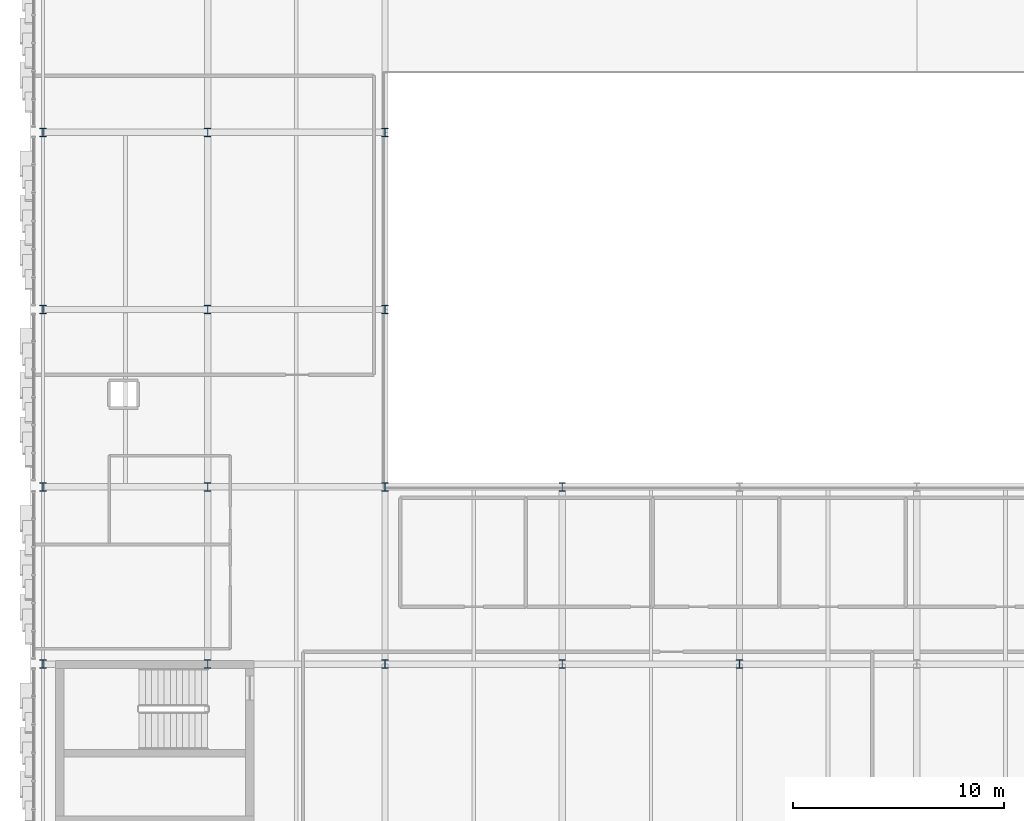
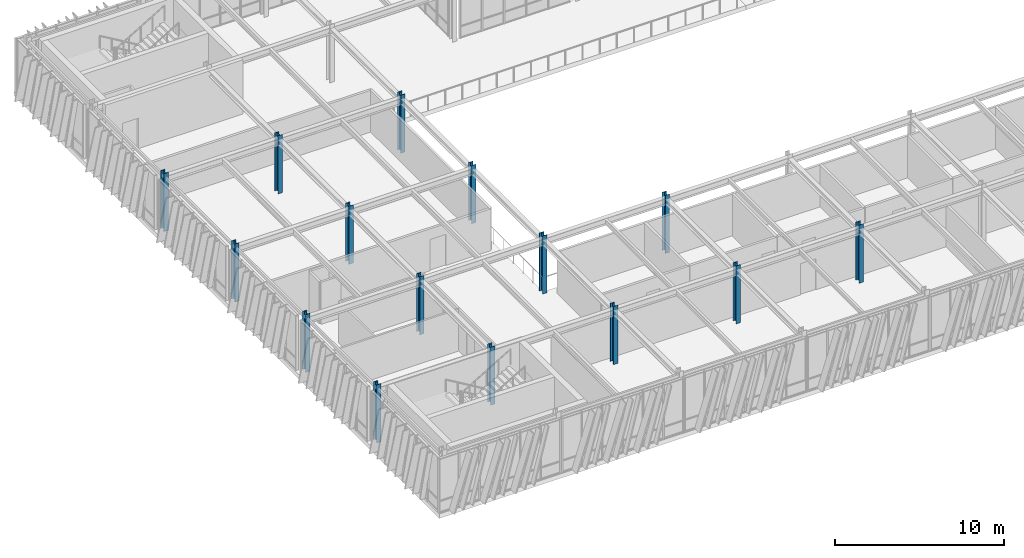
# One storey, part 7 of 127: 15 columns.
"""IFC4 building model written with IfcOpenShell, lengths in metres."""

from ifc_helpers import new_model, si_unit, direction, frame, origin, origin_2d, place, context, subcontext, project, spatial, i_section, extrude, material, material_profile, profile_set, type_object, element, save


model = new_model("IFC4")

# Units and contexts
model_context = context("Model", 3, precision=1e-05, world=origin(), true_north=direction((0.0, 1.0)))
body_context = subcontext(model_context, "Body", "Model", "MODEL_VIEW")
ifc_project = project(units=[si_unit("LENGTHUNIT", "METRE"), si_unit("AREAUNIT", "SQUARE_METRE"), si_unit("VOLUMEUNIT", "CUBIC_METRE"), si_unit("PLANEANGLEUNIT", "RADIAN"), si_unit("MASSUNIT", "GRAM", prefix="KILO")], contexts=[model_context])

# Site, building, storey
site_placement = place(None, origin())
site = spatial("IfcSite", under=ifc_project, at=site_placement, CompositionType="ELEMENT")
building_placement = place(site_placement, origin())
building = spatial("IfcBuilding", under=site, at=building_placement, Name="Zayran Congress Hotel", CompositionType="ELEMENT")
storey_placement = place(building_placement, frame((0.0, 0.0, 10.800048828125)))
storey = spatial("IfcBuildingStorey", under=building, at=storey_placement, Name="L02", CompositionType="ELEMENT", Elevation=10.800048828125)

# Columns
ifc_material = material(Name="Steel S355", Category="steel")
ifc_material_profile = material_profile(ifc_material, i_section(OverallWidth=0.300048828125, OverallDepth=0.39990234375, WebThickness=0.013427734375, FlangeThickness=0.02392578125, at=origin_2d()), Name="HEB 400")
ifc_profile_set = profile_set([ifc_material_profile], Name="Steel S355")
column_type = type_object("IfcColumnType", Name="TP-CL-07", PredefinedType="COLUMN", material=ifc_profile_set)
for number, where, z_axis, x_axis, name in (
    (1, (9.0, 76.0, 0.0), (0.0, 0.0, 1.0), (1.0, 0.0, 0.0), "COL-V1-L02-0388"),
    (2, (9.0, 84.39990234375, 0.0), (0.0, 0.0, 1.0), (1.0, 0.0, 0.0), "COL-V1-L02-0389"),
    (3, (9.0, 92.800048828125, 0.0), (0.0, 0.0, 1.0), (1.0, 0.0, 0.0), "COL-V1-L02-0390"),
    (4, (9.0, 101.199951171875, 0.0), (0.0, 0.0, 1.0), (1.0, 0.0, 0.0), "COL-V1-L02-0391"),
    (5, (16.800048828125, 76.0, 0.0), (0.0, 0.0, 1.0), (1.0, 0.0, 0.0), "COL-V1-L02-0395"),
    (6, (16.800048828125, 84.39990234375, 0.0), (0.0, 0.0, 1.0), (1.0, 0.0, 0.0), "COL-V1-L02-0396"),
    (7, (16.800048828125, 92.800048828125, 0.0), (0.0, 0.0, 1.0), (1.0, 0.0, 0.0), "COL-V1-L02-0397"),
    (8, (16.800048828125, 101.199951171875, 0.0), (0.0, 0.0, 1.0), (1.0, 0.0, 0.0), "COL-V1-L02-0398"),
    (9, (25.199951171875, 76.0, 0.0), (0.0, 0.0, 1.0), (1.0, 0.0, 0.0), "COL-V1-L02-0402"),
    (10, (25.199951171875, 84.39990234375, 0.0), (0.0, 0.0, 1.0), (1.0, 0.0, 0.0), "COL-V1-L02-0403"),
    (11, (25.199951171875, 92.800048828125, 0.0), (0.0, 0.0, 1.0), (1.0, 0.0, 0.0), "COL-V1-L02-0404"),
    (12, (25.199951171875, 101.199951171875, 0.0), (0.0, 0.0, 1.0), (1.0, 0.0, 0.0), "COL-V1-L02-0405"),
    (13, (33.60009765625, 76.0, 0.0), (0.0, 0.0, 1.0), (1.0, 0.0, 0.0), "COL-V1-L02-0409"),
    (14, (33.60009765625, 84.39990234375, 0.0), (0.0, 0.0, 1.0), (1.0, 0.0, 0.0), "COL-V1-L02-0410"),
    (15, (42.0, 76.0, 0.0), (0.0, 0.0, 1.0), (1.0, 0.0, 0.0), "COL-V1-L02-0414"),
):
    element("IfcColumn", number, at=place(storey_placement, frame(where, z_axis=z_axis, x_axis=x_axis)), inside=storey, type_object=column_type, Name=name, PredefinedType="COLUMN", context=body_context, shape_type="SweptSolid", body=[
        extrude(i_section(OverallWidth=0.300048828125, OverallDepth=0.39990234375, WebThickness=0.013427734375, FlangeThickness=0.02392578125, at=origin_2d()), origin(), (0.0, 0.0, 1.0), 4.199951171875),
    ])

save(model, "model.ifc")
